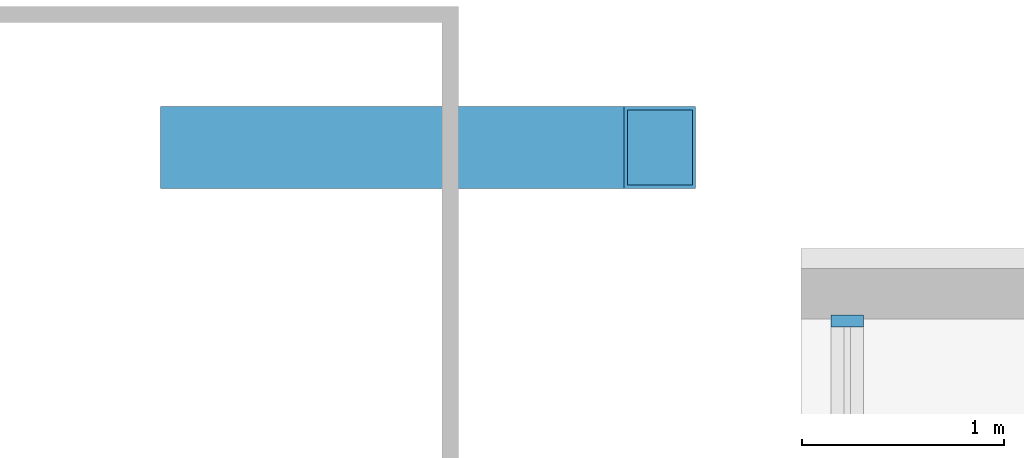
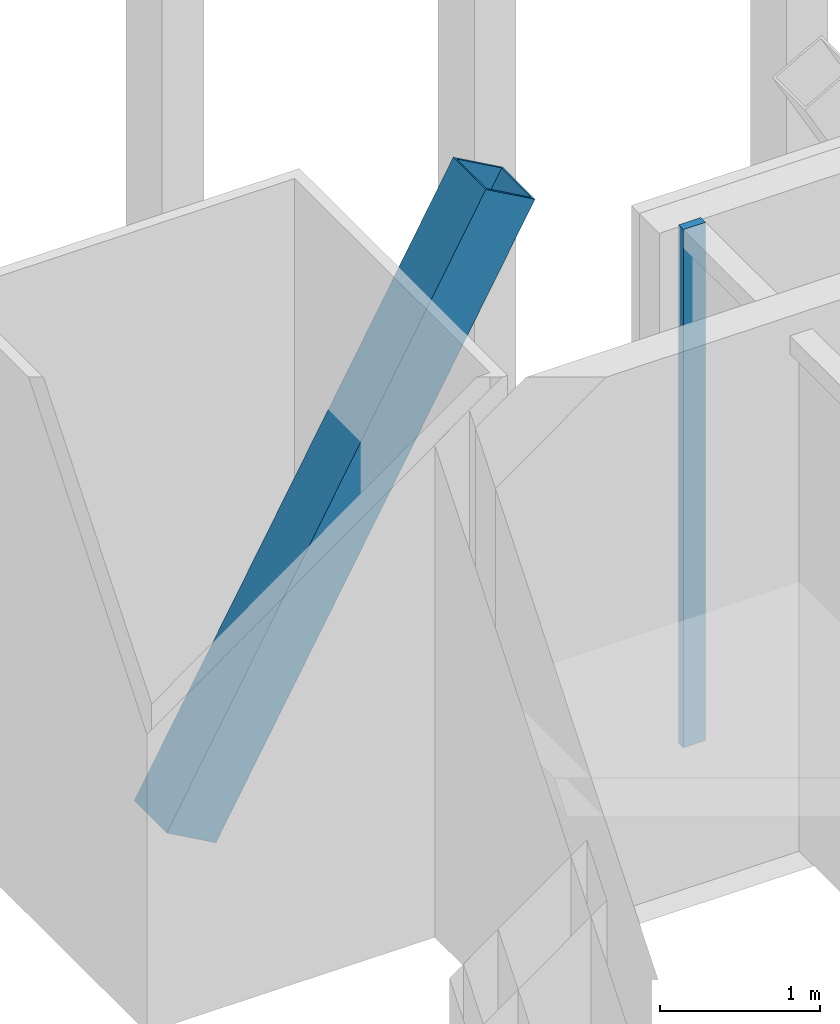
# One storey, part 14 of 33: 2 members, 1 element without a shape of its own.
"""IFC4 building model written with IfcOpenShell, lengths in metres."""

from ifc_helpers import new_model, si_unit, direction, frame, origin, origin_2d, place, context, subcontext, project, spatial, rectangle, hollow_rectangle, extrude, material, material_profile, profile_set, type_object, element, aggregate, save


model = new_model("IFC4")

# Units and contexts
model_context = context("Model", 3, precision=1e-05, world=origin(), true_north=direction((0.0, 1.0)))
body_context = subcontext(model_context, "Body", "Model", "MODEL_VIEW")
ifc_project = project(units=[si_unit("LENGTHUNIT", "METRE"), si_unit("AREAUNIT", "SQUARE_METRE"), si_unit("VOLUMEUNIT", "CUBIC_METRE"), si_unit("PLANEANGLEUNIT", "RADIAN"), si_unit("MASSUNIT", "GRAM", prefix="KILO")], contexts=[model_context])

# Site, building, storey
site_placement = place(None, origin())
site = spatial("IfcSite", under=ifc_project, at=site_placement, CompositionType="ELEMENT")
building_placement = place(site_placement, origin())
building = spatial("IfcBuilding", under=site, at=building_placement, Name="Bicima Exchange Tower", CompositionType="ELEMENT")
storey_placement = place(building_placement, frame((0.0, 0.0, 140.39990234375)))
storey = spatial("IfcBuildingStorey", under=building, at=storey_placement, Name="L30", CompositionType="ELEMENT", Elevation=140.39990234375)

# Curtain wall, member
ifc_material_1 = material(Name="Anodised bronze aluminium", Category="aluminium")
curtain_wall_type = type_object("IfcCurtainWallType", Name="Front glass wall", PredefinedType="NOTDEFINED", material=ifc_material_1)
curtain_wall_placement = place(storey_placement, origin())
curtain_wall = element("IfcCurtainWall", 1, at=curtain_wall_placement, inside=storey, type_object=curtain_wall_type, Name="Front glass wall L30 run 5", PredefinedType="NOTDEFINED")
ifc_material_profile_1 = material_profile(ifc_material_1, rectangle(XDim=0.159912109375, YDim=0.06005859375, at=origin_2d()))
ifc_profile_set_1 = profile_set([ifc_material_profile_1], Name="Anodised bronze aluminium")
member_type_1 = type_object("IfcMemberType", Name="Front glass wall mullion 60 x 160", PredefinedType="MULLION", material=ifc_profile_set_1)
member_1_placement = place(storey_placement, frame((-29.77001953125, -3.260009765625, 0.0), z_axis=(0.0, 0.0, 1.0), x_axis=(1.0, 0.0, 0.0)))
member_1 = element("IfcMember", 2, at=member_1_placement, type_object=member_type_1, Name="Front glass wall mullion 1", PredefinedType="MULLION", context=body_context, shape_type="SweptSolid", body=[
    extrude(rectangle(XDim=0.159912109375, YDim=0.06005859375, at=origin_2d()), origin(), (0.0, 0.0, 1.0), 3.9501953125),
])
aggregate(curtain_wall, [member_1])

# Member
ifc_material_2 = material(Name="Steel ASTM A572 Gr 50", Category="steel")
ifc_material_profile_2 = material_profile(ifc_material_2, hollow_rectangle(XDim=0.406494140625, YDim=0.406494140625, WallThickness=0.017822265625, at=origin_2d()))
ifc_profile_set_2 = profile_set([ifc_material_profile_2], Name="Steel ASTM A572 Gr 50")
member_type_2 = type_object("IfcMemberType", Name="Mega brace HSS16x16x3/4", PredefinedType="BRACE", material=ifc_profile_set_2)
member_2_placement = place(storey_placement, frame((-33.0, -2.39990234375, 0.0), z_axis=(0.489250010841, 0.0, 0.87214358158), x_axis=(0.0, 1.0, 0.0)))
element("IfcMember", 3, at=member_2_placement, inside=storey, type_object=member_type_2, Name="Mega brace rear", PredefinedType="BRACE", context=body_context, shape_type="SweptSolid", body=[
    extrude(hollow_rectangle(XDim=0.406494140625, YDim=0.406494140625, WallThickness=0.017822265625, at=origin_2d()), origin(), (0.0, 0.0, 1.0), 4.701171875),
])

save(model, "model.ifc")
